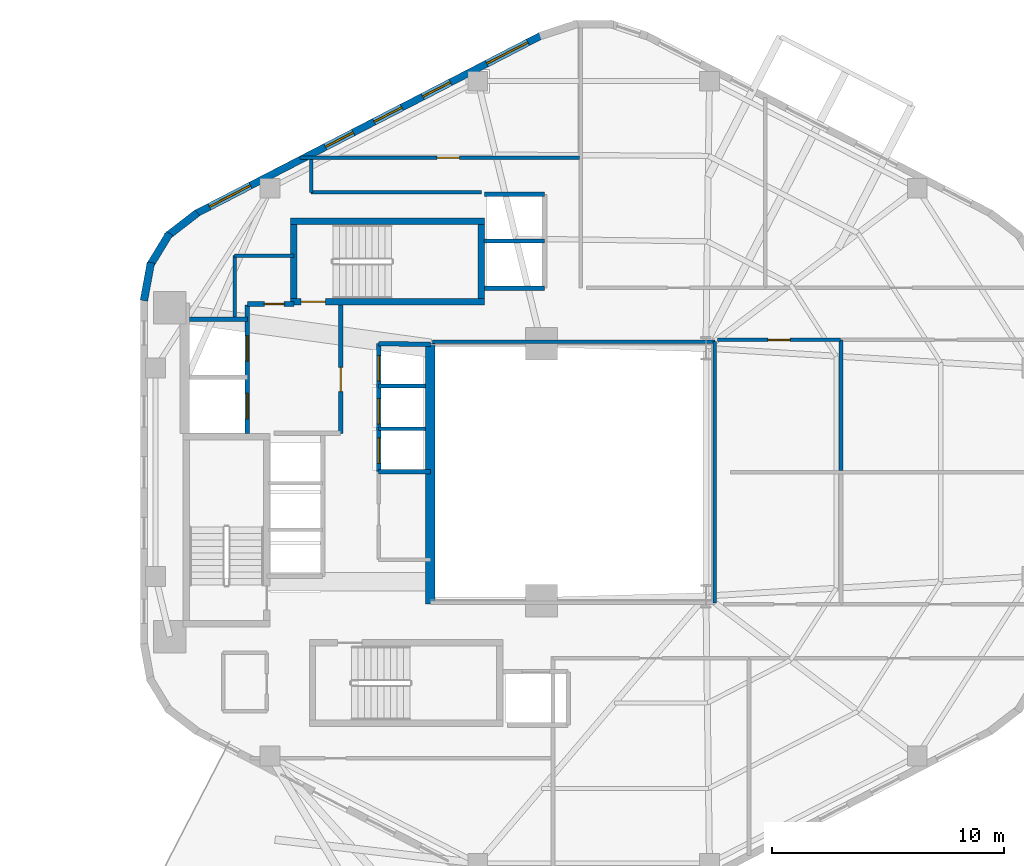
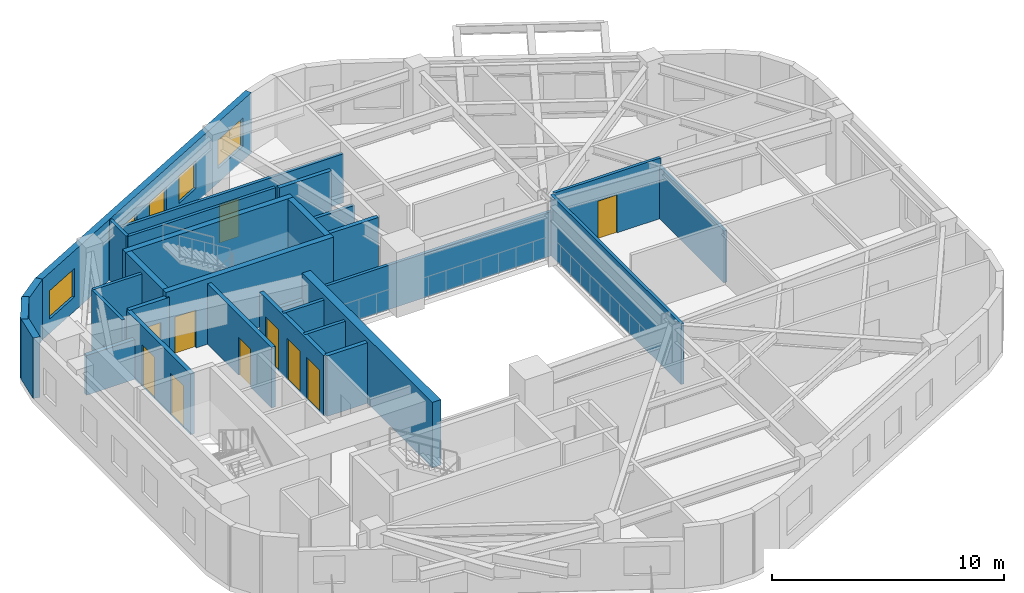
# One storey, part 4 of 7: 30 walls, 10 doors, 5 windows, 15 openings.
"""IFC4 building model written with IfcOpenShell, lengths in metres."""

from ifc_helpers import new_model, si_unit, direction, frame, frame_2d, origin, place, context, subcontext, project, spatial, rectangle, extrude, material, layer, layer_set, type_object, element, fill, save


model = new_model("IFC4")

# Units and contexts
model_context = context("Model", 3, precision=1e-05, world=origin(), true_north=direction((0.0, 1.0)))
body_context = subcontext(model_context, "Body", "Model", "MODEL_VIEW")
ifc_project = project(units=[si_unit("LENGTHUNIT", "METRE"), si_unit("AREAUNIT", "SQUARE_METRE"), si_unit("VOLUMEUNIT", "CUBIC_METRE"), si_unit("PLANEANGLEUNIT", "RADIAN"), si_unit("MASSUNIT", "GRAM", prefix="KILO"), si_unit("THERMODYNAMICTEMPERATUREUNIT", "KELVIN"), si_unit("POWERUNIT", "WATT")], contexts=[model_context])

# Site, building, storey
site_placement = place(None, origin())
site = spatial("IfcSite", under=ifc_project, at=site_placement, CompositionType="ELEMENT")
building_placement = place(site_placement, origin())
building = spatial("IfcBuilding", under=site, at=building_placement, Name="Skarre Station Tower", CompositionType="ELEMENT")
storey_placement = place(building_placement, frame((0.0, 0.0, 184.35009765625)))
storey = spatial("IfcBuildingStorey", under=building, at=storey_placement, Name="L50", CompositionType="ELEMENT", Elevation=184.35009765625)

# Walls
ifc_material_1 = material(Name="Acoustic Steel-Stud Gypsum Partition", Category="steel")
ifc_layer_1 = layer(ifc_material_1, 0.14990234375, Name="Acoustic Steel-Stud Gypsum Partition")
ifc_layer_set_1 = layer_set([ifc_layer_1], Name="Acoustic Steel-Stud Gypsum Partition")
wall_type_1 = type_object("IfcWallType", Name="Fire-Rated Corridor Acoustic Partition 150", PredefinedType="PARTITIONING", material=ifc_layer_set_1)
wall_1_placement = place(storey_placement, frame((19.10009765625, 33.35009765625, 0.0), z_axis=(0.0, 0.0, 1.0), x_axis=(0.0, -1.0, 0.0)))
element("IfcWall", 1, at=wall_1_placement, inside=storey, type_object=wall_type_1, Name="L50 Interior Partition WL-PT-L50-CNW-W", PredefinedType="PARTITIONING", context=body_context, shape_type="SweptSolid", body=[
    extrude(rectangle(XDim=2.655029296875, YDim=0.14990234375, at=frame_2d((1.32763671875, 0.0))), origin(), (0.0, 0.0, 1.0), 3.18994140625),
])
wall_2_placement = place(storey_placement, frame((21.659912109375, 33.35009765625, 0.0), z_axis=(0.0, 0.0, 1.0), x_axis=(-1.0, 0.0, 0.0)))
element("IfcWall", 2, at=wall_2_placement, inside=storey, type_object=wall_type_1, Name="L50 Interior Partition WL-PT-L50-CNW-N1", PredefinedType="PARTITIONING", context=body_context, shape_type="SweptSolid", body=[
    extrude(rectangle(XDim=2.559814453125, YDim=0.14990234375, at=frame_2d((1.27978515625, 0.0))), origin(), (0.0, 0.0, 1.0), 3.18994140625),
])
wall_3_placement = place(storey_placement, frame((39.840087890625, 29.639892578125, 0.0), z_axis=(0.0, 0.0, 1.0), x_axis=(-1.0, 0.0, 0.0)))
element("IfcWall", 3, at=wall_3_placement, inside=storey, type_object=wall_type_1, Name="L50 Interior Partition WL-PT-L50-ATRW-N", PredefinedType="PARTITIONING", context=body_context, shape_type="SweptSolid", body=[
    extrude(rectangle(XDim=12.2001953125, YDim=0.14990234375, at=frame_2d((6.10009765625, 0.0))), origin(), (0.0, 0.0, 1.0), 2.330810546875),
])
wall_4_placement = place(storey_placement, frame((39.840087890625, 18.360107421875, 0.0), z_axis=(0.0, 0.0, 1.0), x_axis=(0.0, 1.0, 0.0)))
element("IfcWall", 4, at=wall_4_placement, inside=storey, type_object=wall_type_1, Name="L50 Interior Partition WL-PT-L50-ATRW-E", PredefinedType="PARTITIONING", context=body_context, shape_type="SweptSolid", body=[
    extrude(rectangle(XDim=11.27978515625, YDim=0.14990234375, at=frame_2d((5.639892578125, 0.0))), origin(), (0.0, 0.0, 1.0), 3.18994140625),
])

# Wall, opening, door
wall_5_placement = place(storey_placement, frame((34.0, 37.580078125, 0.0), z_axis=(0.0, 0.0, 1.0), x_axis=(-1.0, 0.0, 0.0)))
wall_5 = element("IfcWall", 5, at=wall_5_placement, inside=storey, type_object=wall_type_1, Name="L50 Interior Partition WL-PT-L50-NWW1-CW", PredefinedType="PARTITIONING", context=body_context, shape_type="SweptSolid", body=[
    extrude(rectangle(XDim=12.074951171875, YDim=0.14990234375, at=frame_2d((6.03759765625, 0.0))), origin(), (0.0, 0.0, 1.0), 2.581787109375),
])
opening_1_placement = place(wall_5_placement, frame((5.195068359375, 0.0, 0.0)))
opening_1 = element("IfcOpeningElement", 6, at=opening_1_placement, cuts=wall_5, Name="Opening DR-FD60", PredefinedType="OPENING", context=body_context, shape_type="SweptSolid", body=[
    extrude(rectangle(XDim=0.9599609375, YDim=2.0, at=frame_2d((0.47998046875, 1.0))), frame((0.0, 0.0849609375, 0.0), z_axis=(0.0, -1.0, 0.0), x_axis=(1.0, 0.0, 0.0)), (0.0, 0.0, 1.0), 0.169921875),
])
ifc_material_2 = material(Name="Nordic White-Oak Veneer Solid-Core Fire Leaf", Category="wood")
door_type_1 = type_object("IfcDoorType", Name="Corridor Suite Entry Fire Door FD60 960x2150", OperationType="SINGLE_SWING_LEFT", PredefinedType="DOOR", material=ifc_material_2)
door_1_placement = place(opening_1_placement, origin())
door_1 = element("IfcDoor", 7, at=door_1_placement, inside=storey, type_object=door_type_1, Name="L50 NWW1 Entry Door", OperationType="SINGLE_SWING_LEFT", OverallHeight=2.0, OverallWidth=0.9599609375, PredefinedType="DOOR", context=body_context, shape_type="SweptSolid", body=[
    extrude(rectangle(XDim=0.9599609375, YDim=2.0, at=frame_2d((0.47998046875, 1.0))), frame((0.0, 0.02490234375, 0.0), z_axis=(0.0, -1.0, 0.0), x_axis=(1.0, 0.0, 0.0)), (0.0, 0.0, 1.0), 0.050048828125),
])
fill(opening_1, door_1)

wall_6_placement = place(storey_placement, frame((39.949951171875, 29.7099609375, 0.0), z_axis=(0.0, 0.0, 1.0), x_axis=(1.0, 0.0, 0.0)))
wall_6 = element("IfcWall", 8, at=wall_6_placement, inside=storey, type_object=wall_type_1, Name="L50 Interior Partition WL-PT-L50-EWN1-CW", PredefinedType="PARTITIONING", context=body_context, shape_type="SweptSolid", body=[
    extrude(rectangle(XDim=5.321044921875, YDim=0.14990234375, at=frame_2d((2.66064453125, 0.0))), origin(), (0.0, 0.0, 1.0), 3.18994140625),
])
opening_2_placement = place(wall_6_placement, frame((2.179931640625, 0.0, 0.0)))
opening_2 = element("IfcOpeningElement", 9, at=opening_2_placement, cuts=wall_6, Name="Opening DR-FD60", PredefinedType="OPENING", context=body_context, shape_type="SweptSolid", body=[
    extrude(rectangle(XDim=0.9599609375, YDim=2.0, at=frame_2d((0.47998046875, 1.0))), frame((0.0, 0.0849609375, 0.0), z_axis=(0.0, -1.0, 0.0), x_axis=(1.0, 0.0, 0.0)), (0.0, 0.0, 1.0), 0.169921875),
])
door_2_placement = place(opening_2_placement, origin())
door_2 = element("IfcDoor", 10, at=door_2_placement, inside=storey, type_object=door_type_1, Name="L50 EWN1 Entry Door", OperationType="SINGLE_SWING_LEFT", OverallHeight=2.0, OverallWidth=0.9599609375, PredefinedType="DOOR", context=body_context, shape_type="SweptSolid", body=[
    extrude(rectangle(XDim=0.9599609375, YDim=2.0, at=frame_2d((0.47998046875, 1.0))), frame((0.0, 0.02490234375, 0.0), z_axis=(0.0, -1.0, 0.0), x_axis=(1.0, 0.0, 0.0)), (0.0, 0.0, 1.0), 0.050048828125),
])
fill(opening_2, door_2)

# Walls
wall_7_placement = place(storey_placement, frame((29.7529296875, 36.080078125, 0.0), z_axis=(0.0, 0.0, 1.0), x_axis=(-1.0, 0.0, 0.0)))
element("IfcWall", 11, at=wall_7_placement, inside=storey, type_object=wall_type_1, Name="L50 Interior Partition WL-PT-L50-CSEAL-1", PredefinedType="PARTITIONING", context=body_context, shape_type="SweptSolid", body=[
    extrude(rectangle(XDim=7.35302734375, YDim=0.14990234375, at=frame_2d((3.676513671875, 0.0))), origin(), (0.0, 0.0, 1.0), 3.18994140625),
])
wall_8_placement = place(storey_placement, frame((22.39990234375, 36.080078125, 0.0), z_axis=(0.0, 0.0, 1.0), x_axis=(0.0, 1.0, 0.0)))
element("IfcWall", 12, at=wall_8_placement, inside=storey, type_object=wall_type_1, Name="L50 Interior Partition WL-PT-L50-CSEAL-2", PredefinedType="PARTITIONING", context=body_context, shape_type="SweptSolid", body=[
    extrude(rectangle(XDim=1.429931640625, YDim=0.14990234375, at=frame_2d((0.71484375, 0.0))), origin(), (0.0, 0.0, 1.0), 3.18994140625),
])
ifc_material_3 = material(Name="Precast concrete C45/55", Category="concrete")
ifc_layer_2 = layer(ifc_material_3, 0.330078125, Name="Precast concrete C45/55")
ifc_layer_set_2 = layer_set([ifc_layer_2], Name="Precast concrete C45/55")
wall_type_2 = type_object("IfcWallType", Name="Nordic Rounded Corner Precast Wall 330", PredefinedType="STANDARD", material=ifc_layer_set_2)
wall_9_placement = place(storey_placement, frame((15.178955078125, 31.407958984375, 0.0), z_axis=(0.0, 0.0, 1.0), x_axis=(0.180717642671, 0.983535019014, 0.0)))
element("IfcWall", 13, at=wall_9_placement, inside=storey, type_object=wall_type_2, Name="L50 Rounded Corner Precast Wall F2-1", PredefinedType="STANDARD", context=body_context, shape_type="SweptSolid", body=[
    extrude(rectangle(XDim=1.676513671875, YDim=0.330078125, at=frame_2d((0.83837890625, 0.0))), origin(), (0.0, 0.0, 1.0), 3.18994140625),
])
wall_10_placement = place(storey_placement, frame((15.4150390625, 32.882080078125, 0.0), z_axis=(0.0, 0.0, 1.0), x_axis=(0.520325409202, 0.853968072318, 0.0)))
element("IfcWall", 14, at=wall_10_placement, inside=storey, type_object=wall_type_2, Name="L50 Rounded Corner Precast Wall F2-2", PredefinedType="STANDARD", context=body_context, shape_type="SweptSolid", body=[
    extrude(rectangle(XDim=1.677978515625, YDim=0.330078125, at=frame_2d((0.8388671875, 0.0))), origin(), (0.0, 0.0, 1.0), 3.18994140625),
])
wall_11_placement = place(storey_placement, frame((16.162109375, 34.175048828125, 0.0), z_axis=(0.0, 0.0, 1.0), x_axis=(0.791409877269, 0.611285862884, 0.0)))
element("IfcWall", 15, at=wall_11_placement, inside=storey, type_object=wall_type_2, Name="L50 Rounded Corner Precast Wall F2-3", PredefinedType="STANDARD", context=body_context, shape_type="SweptSolid", body=[
    extrude(rectangle(XDim=1.676513671875, YDim=0.330078125, at=frame_2d((0.83837890625, 0.0))), origin(), (0.0, 0.0, 1.0), 3.18994140625),
])

# Wall, openings, windows
ifc_layer_3 = layer(ifc_material_3, 0.31005859375, Name="Precast concrete C45/55")
ifc_layer_set_3 = layer_set([ifc_layer_3], Name="Precast concrete C45/55")
wall_type_3 = type_object("IfcWallType", Name="Nordic Upper-Zone Precast Facet Wall 310", PredefinedType="STANDARD", material=ifc_layer_set_3)
wall_12_placement = place(storey_placement, frame((17.407958984375, 35.153076171875, 0.0), z_axis=(0.0, 0.0, 1.0), x_axis=(0.888626188278, 0.458632202867, 0.0)))
wall_12 = element("IfcWall", 16, at=wall_12_placement, inside=storey, type_object=wall_type_3, Name="L50 Facet 1 Nordic Precast Masonry Wall", PredefinedType="STANDARD", context=body_context, shape_type="SweptSolid", body=[
    extrude(rectangle(XDim=16.828369140625, YDim=0.31005859375, at=frame_2d((8.4140625, 0.0))), origin(), (0.0, 0.0, 1.0), 3.18994140625),
])
opening_3_placement = place(wall_12_placement, frame((0.675048828125, 0.0, 0.75)))
opening_3 = element("IfcOpeningElement", 17, at=opening_3_placement, cuts=wall_12, Name="Opening WN-Z3A", PredefinedType="OPENING", context=body_context, shape_type="SweptSolid", body=[
    extrude(rectangle(XDim=2.0, YDim=1.5, at=frame_2d((1.0, 0.75))), frame((0.0, 0.1650390625, 0.0), z_axis=(0.0, -1.0, 0.0), x_axis=(1.0, 0.0, 0.0)), (0.0, 0.0, 1.0), 0.330078125),
])
opening_4_placement = place(wall_12_placement, frame((6.31201171875, 0.0, 0.75)))
opening_4 = element("IfcOpeningElement", 18, at=opening_4_placement, cuts=wall_12, Name="Opening WN-Z3B", PredefinedType="OPENING", context=body_context, shape_type="SweptSolid", body=[
    extrude(rectangle(XDim=1.35009765625, YDim=1.449951171875, at=frame_2d((0.675048828125, 0.72509765625))), frame((0.0, 0.1650390625, 0.0), z_axis=(0.0, -1.0, 0.0), x_axis=(1.0, 0.0, 0.0)), (0.0, 0.0, 1.0), 0.330078125),
])
opening_5_placement = place(wall_12_placement, frame((8.676025390625, 0.0, 0.75)))
opening_5 = element("IfcOpeningElement", 19, at=opening_5_placement, cuts=wall_12, Name="Opening WN-Z3B", PredefinedType="OPENING", context=body_context, shape_type="SweptSolid", body=[
    extrude(rectangle(XDim=1.35009765625, YDim=1.449951171875, at=frame_2d((0.675048828125, 0.72509765625))), frame((0.0, 0.1650390625, 0.0), z_axis=(0.0, -1.0, 0.0), x_axis=(1.0, 0.0, 0.0)), (0.0, 0.0, 1.0), 0.330078125),
])
opening_6_placement = place(wall_12_placement, frame((11.041015625, 0.0, 0.75)))
opening_6 = element("IfcOpeningElement", 20, at=opening_6_placement, cuts=wall_12, Name="Opening WN-Z3B", PredefinedType="OPENING", context=body_context, shape_type="SweptSolid", body=[
    extrude(rectangle(XDim=1.35009765625, YDim=1.449951171875, at=frame_2d((0.675048828125, 0.72509765625))), frame((0.0, 0.1650390625, 0.0), z_axis=(0.0, -1.0, 0.0), x_axis=(1.0, 0.0, 0.0)), (0.0, 0.0, 1.0), 0.330078125),
])
opening_7_placement = place(wall_12_placement, frame((14.153076171875, 0.0, 0.75)))
opening_7 = element("IfcOpeningElement", 21, at=opening_7_placement, cuts=wall_12, Name="Opening WN-Z3A", PredefinedType="OPENING", context=body_context, shape_type="SweptSolid", body=[
    extrude(rectangle(XDim=2.0, YDim=1.5, at=frame_2d((1.0, 0.75))), frame((0.0, 0.1650390625, 0.0), z_axis=(0.0, -1.0, 0.0), x_axis=(1.0, 0.0, 0.0)), (0.0, 0.0, 1.0), 0.330078125),
])
ifc_material_4 = material(Name="Low-Iron Triple Glazing with Bronze Anodized Frame", Category="glass")
window_type_1 = type_object("IfcWindowType", Name="Nordic Hospitality Narrow Window 1350x1450", PartitioningType="SINGLE_PANEL", PredefinedType="WINDOW", material=ifc_material_4)
window_1_placement = place(opening_4_placement, origin())
window_1 = element("IfcWindow", 22, at=window_1_placement, inside=storey, type_object=window_type_1, Name="L50 Facade Window WL-FAC-L50-F1-2", OverallHeight=1.449951171875, OverallWidth=1.35009765625, PartitioningType="SINGLE_PANEL", PredefinedType="WINDOW", context=body_context, shape_type="SweptSolid", body=[
    extrude(rectangle(XDim=1.35009765625, YDim=1.449951171875, at=frame_2d((0.675048828125, 0.72509765625))), frame((0.0, 0.030029296875, 0.0), z_axis=(0.0, -1.0, 0.0), x_axis=(1.0, 0.0, 0.0)), (0.0, 0.0, 1.0), 0.06005859375),
])
fill(opening_4, window_1)
window_2_placement = place(opening_5_placement, origin())
window_2 = element("IfcWindow", 23, at=window_2_placement, inside=storey, type_object=window_type_1, Name="L50 Facade Window WL-FAC-L50-F1-3", OverallHeight=1.449951171875, OverallWidth=1.35009765625, PartitioningType="SINGLE_PANEL", PredefinedType="WINDOW", context=body_context, shape_type="SweptSolid", body=[
    extrude(rectangle(XDim=1.35009765625, YDim=1.449951171875, at=frame_2d((0.675048828125, 0.72509765625))), frame((0.0, 0.030029296875, 0.0), z_axis=(0.0, -1.0, 0.0), x_axis=(1.0, 0.0, 0.0)), (0.0, 0.0, 1.0), 0.06005859375),
])
fill(opening_5, window_2)
window_3_placement = place(opening_6_placement, origin())
window_3 = element("IfcWindow", 24, at=window_3_placement, inside=storey, type_object=window_type_1, Name="L50 Facade Window WL-FAC-L50-F1-4", OverallHeight=1.449951171875, OverallWidth=1.35009765625, PartitioningType="SINGLE_PANEL", PredefinedType="WINDOW", context=body_context, shape_type="SweptSolid", body=[
    extrude(rectangle(XDim=1.35009765625, YDim=1.449951171875, at=frame_2d((0.675048828125, 0.72509765625))), frame((0.0, 0.030029296875, 0.0), z_axis=(0.0, -1.0, 0.0), x_axis=(1.0, 0.0, 0.0)), (0.0, 0.0, 1.0), 0.06005859375),
])
fill(opening_6, window_3)
window_type_2 = type_object("IfcWindowType", Name="Nordic Hospitality Window 2000x1500", PartitioningType="SINGLE_PANEL", PredefinedType="WINDOW", material=ifc_material_4)
window_4_placement = place(opening_3_placement, origin())
window_4 = element("IfcWindow", 25, at=window_4_placement, inside=storey, type_object=window_type_2, Name="L50 Facade Window WL-FAC-L50-F1-1", OverallHeight=1.5, OverallWidth=2.0, PartitioningType="SINGLE_PANEL", PredefinedType="WINDOW", context=body_context, shape_type="SweptSolid", body=[
    extrude(rectangle(XDim=2.0, YDim=1.5, at=frame_2d((1.0, 0.75))), frame((0.0, 0.030029296875, 0.0), z_axis=(0.0, -1.0, 0.0), x_axis=(1.0, 0.0, 0.0)), (0.0, 0.0, 1.0), 0.06005859375),
])
fill(opening_3, window_4)
window_5_placement = place(opening_7_placement, origin())
window_5 = element("IfcWindow", 26, at=window_5_placement, inside=storey, type_object=window_type_2, Name="L50 Facade Window WL-FAC-L50-F1-5", OverallHeight=1.5, OverallWidth=2.0, PartitioningType="SINGLE_PANEL", PredefinedType="WINDOW", context=body_context, shape_type="SweptSolid", body=[
    extrude(rectangle(XDim=2.0, YDim=1.5, at=frame_2d((1.0, 0.75))), frame((0.0, 0.030029296875, 0.0), z_axis=(0.0, -1.0, 0.0), x_axis=(1.0, 0.0, 0.0)), (0.0, 0.0, 1.0), 0.06005859375),
])
fill(opening_7, window_5)

# Wall, opening, door
ifc_material_5 = material(Name="Concrete C50/60", Category="concrete")
ifc_layer_4 = layer(ifc_material_5, 0.280029296875, Name="Concrete C50/60")
ifc_layer_set_4 = layer_set([ifc_layer_4], Name="Concrete C50/60")
wall_type_4 = type_object("IfcWallType", Name="RC Core Shear Wall 280", PredefinedType="SHEAR", material=ifc_layer_set_4)
wall_13_placement = place(storey_placement, frame((21.52001953125, 31.360107421875, 0.0), z_axis=(0.0, 0.0, 1.0), x_axis=(1.0, 0.0, 0.0)))
wall_13 = element("IfcWall", 27, at=wall_13_placement, inside=storey, type_object=wall_type_4, Name="L50 Stair ST-3 South Shear Wall", PredefinedType="SHEAR", context=body_context, shape_type="SweptSolid", body=[
    extrude(rectangle(XDim=8.35986328125, YDim=0.280029296875, at=frame_2d((4.179931640625, 0.0))), origin(), (0.0, 0.0, 1.0), 3.449951171875),
])
opening_8_placement = place(wall_13_placement, frame((0.449951171875, 0.0, 0.0)))
opening_8 = element("IfcOpeningElement", 28, at=opening_8_placement, cuts=wall_13, Name="Opening DR-FD90", PredefinedType="OPENING", context=body_context, shape_type="SweptSolid", body=[
    extrude(rectangle(XDim=1.050048828125, YDim=2.0, at=frame_2d((0.52490234375, 1.0))), frame((0.0, 0.14990234375, 0.0), z_axis=(0.0, -1.0, 0.0), x_axis=(1.0, 0.0, 0.0)), (0.0, 0.0, 1.0), 0.300048828125),
])
ifc_material_6 = material(Name="Fire-Rated Insulated Steel Frame & Timber Core Leaf", Category="steel")
door_type_2 = type_object("IfcDoorType", Name="Stair & FSAE Lobby Fire Door FD90 1050x2150", OperationType="SINGLE_SWING_RIGHT", PredefinedType="DOOR", material=ifc_material_6)
door_3_placement = place(opening_8_placement, origin())
door_3 = element("IfcDoor", 29, at=door_3_placement, inside=storey, type_object=door_type_2, Name="L50 Stair ST-3 & FSAE Lobby Direct Exit Door", OperationType="SINGLE_SWING_LEFT", OverallHeight=2.0, OverallWidth=1.050048828125, PredefinedType="DOOR", context=body_context, shape_type="SweptSolid", body=[
    extrude(rectangle(XDim=1.050048828125, YDim=2.0, at=frame_2d((0.52490234375, 1.0))), frame((0.0, 0.02490234375, 0.0), z_axis=(0.0, -1.0, 0.0), x_axis=(1.0, 0.0, 0.0)), (0.0, 0.0, 1.0), 0.050048828125),
])
fill(opening_8, door_3)

# Walls
wall_14_placement = place(storey_placement, frame((29.8798828125, 34.840087890625, 0.0), z_axis=(0.0, 0.0, 1.0), x_axis=(-1.0, 0.0, 0.0)))
element("IfcWall", 30, at=wall_14_placement, inside=storey, type_object=wall_type_4, Name="L50 Stair ST-3 North Shear Wall", PredefinedType="SHEAR", context=body_context, shape_type="SweptSolid", body=[
    extrude(rectangle(XDim=8.35986328125, YDim=0.280029296875, at=frame_2d((4.179931640625, 0.0))), origin(), (0.0, 0.0, 1.0), 3.449951171875),
])
for number, where, z_axis, x_axis, name in (
    (31, (21.659912109375, 34.699951171875, 0.0), (0.0, 0.0, 1.0), (0.0, -1.0, 0.0), "L50 Stair ST-3 West Shear Wall"),
    (32, (29.739990234375, 31.5, 0.0), (0.0, 0.0, 1.0), (0.0, 1.0, 0.0), "L50 Stair ST-3 East Shear Wall"),
):
    element("IfcWall", number, at=place(storey_placement, frame(where, z_axis=z_axis, x_axis=x_axis)), inside=storey, type_object=wall_type_4, Name=name, PredefinedType="SHEAR", context=body_context, shape_type="SweptSolid", body=[
        extrude(rectangle(XDim=3.199951171875, YDim=0.280029296875, at=frame_2d((1.60009765625, 0.0))), origin(), (0.0, 0.0, 1.0), 3.449951171875),
    ])
ifc_material_7 = material(Name="Concrete C60/75", Category="concrete")
ifc_layer_5 = layer(ifc_material_7, 0.419921875, Name="Concrete C60/75")
ifc_layer_set_5 = layer_set([ifc_layer_5], Name="Concrete C60/75")
wall_type_5 = type_object("IfcWallType", Name="RC Core Shear Wall 420", PredefinedType="SHEAR", material=ifc_layer_set_5)
wall_15_placement = place(storey_placement, frame((27.550048828125, 29.550048828125, 0.0), z_axis=(0.0, 0.0, 1.0), x_axis=(0.0, -1.0, 0.0)))
element("IfcWall", 33, at=wall_15_placement, inside=storey, type_object=wall_type_5, Name="L50 Core East Atrium Shear Wall", PredefinedType="SHEAR", context=body_context, shape_type="SweptSolid", body=[
    extrude(rectangle(XDim=11.25, YDim=0.419921875, at=frame_2d((5.625, 0.0))), origin(), (0.0, 0.0, 1.0), 3.449951171875),
])

# Wall, openings, doors
ifc_material_8 = material(Name="Gypsum Concrete Shaft Assembly C30/37", Category="concrete")
ifc_layer_6 = layer(ifc_material_8, 0.199951171875, Name="Gypsum Concrete Shaft Assembly C30/37")
ifc_layer_set_6 = layer_set([ifc_layer_6], Name="Gypsum Concrete Shaft Assembly C30/37")
wall_type_6 = type_object("IfcWallType", Name="Shaft & Core Fire Partition 200", PredefinedType="PARTITIONING", material=ifc_layer_set_6)
wall_16_placement = place(storey_placement, frame((19.64990234375, 25.679931640625, 0.0), z_axis=(0.0, 0.0, 1.0), x_axis=(0.0, 1.0, 0.0)))
wall_16 = element("IfcWall", 34, at=wall_16_placement, inside=storey, type_object=wall_type_6, Name="L50 Interior Partition WL-PT-L50-FSAE-W", PredefinedType="PARTITIONING", context=body_context, shape_type="SweptSolid", body=[
    extrude(rectangle(XDim=5.5400390625, YDim=0.199951171875, at=frame_2d((2.77001953125, 0.0))), origin(), (0.0, 0.0, 1.0), 3.18994140625),
])
opening_9_placement = place(wall_16_placement, frame((0.6201171875, 0.0, 0.0)))
opening_9 = element("IfcOpeningElement", 35, at=opening_9_placement, cuts=wall_16, Name="Opening LD-FF1", PredefinedType="OPENING", context=body_context, shape_type="SweptSolid", body=[
    extrude(rectangle(XDim=1.10009765625, YDim=2.199951171875, at=frame_2d((0.550048828125, 1.10009765625))), frame((0.0, 0.10986328125, 0.0), z_axis=(0.0, -1.0, 0.0), x_axis=(1.0, 0.0, 0.0)), (0.0, 0.0, 1.0), 0.219970703125),
])
opening_10_placement = place(wall_16_placement, frame((3.1201171875, 0.0, 0.0)))
opening_10 = element("IfcOpeningElement", 36, at=opening_10_placement, cuts=wall_16, Name="Opening LD-FF2", PredefinedType="OPENING", context=body_context, shape_type="SweptSolid", body=[
    extrude(rectangle(XDim=1.10009765625, YDim=2.199951171875, at=frame_2d((0.550048828125, 1.10009765625))), frame((0.0, 0.10986328125, 0.0), z_axis=(0.0, -1.0, 0.0), x_axis=(1.0, 0.0, 0.0)), (0.0, 0.0, 1.0), 0.219970703125),
])
ifc_material_9 = material(Name="Fire-Rated Stainless Steel Grade 316L Sliding Leaves", Category="steel")
door_type_3 = type_object("IfcDoorType", Name="Fire Service Access Elevator Sliding Landing Door 1100x2200", OperationType="SLIDING_TO_LEFT", PredefinedType="DOOR", material=ifc_material_9)
door_4_placement = place(opening_9_placement, origin())
door_4 = element("IfcDoor", 37, at=door_4_placement, inside=storey, type_object=door_type_3, Name="L50 Firefighting Lift LF-FF1 Landing Door", OperationType="SLIDING_TO_LEFT", OverallHeight=2.199951171875, OverallWidth=1.10009765625, PredefinedType="DOOR", context=body_context, shape_type="SweptSolid", body=[
    extrude(rectangle(XDim=1.10009765625, YDim=2.199951171875, at=frame_2d((0.550048828125, 1.10009765625))), frame((0.0, 0.02490234375, 0.0), z_axis=(0.0, -1.0, 0.0), x_axis=(1.0, 0.0, 0.0)), (0.0, 0.0, 1.0), 0.050048828125),
])
fill(opening_9, door_4)
door_5_placement = place(opening_10_placement, origin())
door_5 = element("IfcDoor", 38, at=door_5_placement, inside=storey, type_object=door_type_3, Name="L50 Firefighting Lift LF-FF2 Landing Door", OperationType="SLIDING_TO_LEFT", OverallHeight=2.199951171875, OverallWidth=1.10009765625, PredefinedType="DOOR", context=body_context, shape_type="SweptSolid", body=[
    extrude(rectangle(XDim=1.10009765625, YDim=2.199951171875, at=frame_2d((0.550048828125, 1.10009765625))), frame((0.0, 0.02490234375, 0.0), z_axis=(0.0, -1.0, 0.0), x_axis=(1.0, 0.0, 0.0)), (0.0, 0.0, 1.0), 0.050048828125),
])
fill(opening_10, door_5)

# Wall, opening, door
wall_17_placement = place(storey_placement, frame((23.679931640625, 25.679931640625, 0.0), z_axis=(0.0, 0.0, 1.0), x_axis=(0.0, 1.0, 0.0)))
wall_17 = element("IfcWall", 39, at=wall_17_placement, inside=storey, type_object=wall_type_6, Name="L50 Interior Partition WL-PT-L50-FSAE-E", PredefinedType="PARTITIONING", context=body_context, shape_type="SweptSolid", body=[
    extrude(rectangle(XDim=5.5400390625, YDim=0.199951171875, at=frame_2d((2.77001953125, 0.0))), origin(), (0.0, 0.0, 1.0), 3.18994140625),
])
opening_11_placement = place(wall_17_placement, frame((1.800048828125, 0.0, 0.0)))
opening_11 = element("IfcOpeningElement", 40, at=opening_11_placement, cuts=wall_17, Name="Opening DR-FD90", PredefinedType="OPENING", context=body_context, shape_type="SweptSolid", body=[
    extrude(rectangle(XDim=1.050048828125, YDim=2.0, at=frame_2d((0.52490234375, 1.0))), frame((0.0, 0.10986328125, 0.0), z_axis=(0.0, -1.0, 0.0), x_axis=(1.0, 0.0, 0.0)), (0.0, 0.0, 1.0), 0.219970703125),
])
door_6_placement = place(opening_11_placement, origin())
door_6 = element("IfcDoor", 41, at=door_6_placement, inside=storey, type_object=door_type_2, Name="L50 FSAE Lobby Fire Door", OperationType="SINGLE_SWING_RIGHT", OverallHeight=2.0, OverallWidth=1.050048828125, PredefinedType="DOOR", context=body_context, shape_type="SweptSolid", body=[
    extrude(rectangle(XDim=1.050048828125, YDim=2.0, at=frame_2d((0.52490234375, 1.0))), frame((0.0, 0.02490234375, 0.0), z_axis=(0.0, -1.0, 0.0), x_axis=(1.0, 0.0, 0.0)), (0.0, 0.0, 1.0), 0.050048828125),
])
fill(opening_11, door_6)

wall_18_placement = place(storey_placement, frame((21.659912109375, 31.260009765625, 0.0), z_axis=(0.0, 0.0, 1.0), x_axis=(-1.0, 0.0, 0.0)))
wall_18 = element("IfcWall", 42, at=wall_18_placement, inside=storey, type_object=wall_type_6, Name="L50 Interior Partition WL-PT-L50-FSAE-N", PredefinedType="PARTITIONING", context=body_context, shape_type="SweptSolid", body=[
    extrude(rectangle(XDim=2.010009765625, YDim=0.199951171875, at=frame_2d((1.0048828125, 0.0))), origin(), (0.0, 0.0, 1.0), 3.18994140625),
])
opening_12_placement = place(wall_18_placement, frame((0.419921875, 0.0, 0.0)))
opening_12 = element("IfcOpeningElement", 43, at=opening_12_placement, cuts=wall_18, Name="Opening DR-SVC86", PredefinedType="OPENING", context=body_context, shape_type="SweptSolid", body=[
    extrude(rectangle(XDim=0.860107421875, YDim=2.0, at=frame_2d((0.43017578125, 1.0))), frame((0.0, 0.10986328125, 0.0), z_axis=(0.0, -1.0, 0.0), x_axis=(1.0, 0.0, 0.0)), (0.0, 0.0, 1.0), 0.219970703125),
])
ifc_material_10 = material(Name="Powder-Coated Hollow-Metal Acoustic Fire Leaf", Category="steel")
door_type_4 = type_object("IfcDoorType", Name="Compact Riser Fire Door FD60 860x2100", OperationType="SINGLE_SWING_LEFT", PredefinedType="DOOR", material=ifc_material_10)
door_7_placement = place(opening_12_placement, origin())
door_7 = element("IfcDoor", 44, at=door_7_placement, inside=storey, type_object=door_type_4, Name="L50 Core Service Room Lobby Door", OperationType="SINGLE_SWING_LEFT", OverallHeight=2.0, OverallWidth=0.860107421875, PredefinedType="DOOR", context=body_context, shape_type="SweptSolid", body=[
    extrude(rectangle(XDim=0.860107421875, YDim=2.0, at=frame_2d((0.43017578125, 1.0))), frame((0.0, 0.02490234375, 0.0), z_axis=(0.0, -1.0, 0.0), x_axis=(1.0, 0.0, 0.0)), (0.0, 0.0, 1.0), 0.050048828125),
])
fill(opening_12, door_7)

# Walls
wall_19_placement = place(storey_placement, frame((19.64990234375, 30.60009765625, 0.0), z_axis=(0.0, 0.0, 1.0), x_axis=(-1.0, 0.0, 0.0)))
element("IfcWall", 45, at=wall_19_placement, inside=storey, type_object=wall_type_6, Name="L50 Interior Partition WL-PT-L50-FF-N", PredefinedType="PARTITIONING", context=body_context, shape_type="SweptSolid", body=[
    extrude(rectangle(XDim=2.5, YDim=0.199951171875, at=frame_2d((1.25, 0.0))), origin(), (0.0, 0.0, 1.0), 2.08984375),
])
for number, where, z_axis, x_axis, name in (
    (46, (29.8798828125, 36.0, 0.0), (0.0, 0.0, 1.0), (1.0, 0.0, 0.0), "L50 Interior Partition WL-PT-L50-EX-N"),
    (47, (32.47998046875, 31.949951171875, 0.0), (0.0, 0.0, 1.0), (-1.0, 0.0, 0.0), "L50 Interior Partition WL-PT-L50-EX-S"),
):
    element("IfcWall", number, at=place(storey_placement, frame(where, z_axis=z_axis, x_axis=x_axis)), inside=storey, type_object=wall_type_6, Name=name, PredefinedType="PARTITIONING", context=body_context, shape_type="SweptSolid", body=[
        extrude(rectangle(XDim=2.60009765625, YDim=0.199951171875, at=frame_2d((1.300048828125, 0.0))), origin(), (0.0, 0.0, 1.0), 3.18994140625),
    ])
wall_20_placement = place(storey_placement, frame((29.875, 33.97998046875, 0.0), z_axis=(0.0, 0.0, 1.0), x_axis=(1.0, 0.0, 0.0)))
element("IfcWall", 48, at=wall_20_placement, inside=storey, type_object=wall_type_6, Name="L50 Interior Partition WL-PT-L50-EX-DIV", PredefinedType="PARTITIONING", context=body_context, shape_type="SweptSolid", body=[
    extrude(rectangle(XDim=2.60498046875, YDim=0.159912109375, at=frame_2d((1.302490234375, 0.0))), origin(), (0.0, 0.0, 1.0), 2.581787109375),
])

# Wall, openings, doors
wall_21_placement = place(storey_placement, frame((25.320068359375, 29.550048828125, 0.0), z_axis=(0.0, 0.0, 1.0), x_axis=(0.0, -1.0, 0.0)))
wall_21 = element("IfcWall", 49, at=wall_21_placement, inside=storey, type_object=wall_type_6, Name="L50 Interior Partition WL-PT-L50-B2-W", PredefinedType="PARTITIONING", context=body_context, shape_type="SweptSolid", body=[
    extrude(rectangle(XDim=5.530029296875, YDim=0.199951171875, at=frame_2d((2.76513671875, 0.0))), origin(), (0.0, 0.0, 1.0), 3.18994140625),
])
opening_13_placement = place(wall_21_placement, frame((0.52001953125, 0.0, 0.0)))
opening_13 = element("IfcOpeningElement", 50, at=opening_13_placement, cuts=wall_21, Name="Opening LD-P6", PredefinedType="OPENING", context=body_context, shape_type="SweptSolid", body=[
    extrude(rectangle(XDim=1.10009765625, YDim=2.199951171875, at=frame_2d((0.550048828125, 1.10009765625))), frame((0.0, 0.10986328125, 0.0), z_axis=(0.0, -1.0, 0.0), x_axis=(1.0, 0.0, 0.0)), (0.0, 0.0, 1.0), 0.219970703125),
])
opening_14_placement = place(wall_21_placement, frame((2.3701171875, 0.0, 0.0)))
opening_14 = element("IfcOpeningElement", 51, at=opening_14_placement, cuts=wall_21, Name="Opening LD-P5", PredefinedType="OPENING", context=body_context, shape_type="SweptSolid", body=[
    extrude(rectangle(XDim=1.10009765625, YDim=2.199951171875, at=frame_2d((0.550048828125, 1.10009765625))), frame((0.0, 0.10986328125, 0.0), z_axis=(0.0, -1.0, 0.0), x_axis=(1.0, 0.0, 0.0)), (0.0, 0.0, 1.0), 0.219970703125),
])
opening_15_placement = place(wall_21_placement, frame((4.070068359375, 0.0, 0.0)))
opening_15 = element("IfcOpeningElement", 52, at=opening_15_placement, cuts=wall_21, Name="Opening LD-P4", PredefinedType="OPENING", context=body_context, shape_type="SweptSolid", body=[
    extrude(rectangle(XDim=1.10009765625, YDim=2.199951171875, at=frame_2d((0.550048828125, 1.10009765625))), frame((0.0, 0.10986328125, 0.0), z_axis=(0.0, -1.0, 0.0), x_axis=(1.0, 0.0, 0.0)), (0.0, 0.0, 1.0), 0.219970703125),
])
ifc_material_11 = material(Name="Brushed Bronze Stainless Steel Sliding Leaves", Category="steel")
door_type_5 = type_object("IfcDoorType", Name="Passenger Elevator Center-Parting Sliding Door 1100x2200", OperationType="SLIDING_TO_LEFT", PredefinedType="DOOR", material=ifc_material_11)
door_8_placement = place(opening_13_placement, origin())
door_8 = element("IfcDoor", 53, at=door_8_placement, inside=storey, type_object=door_type_5, Name="L50 Passenger Lift LF-P6 Landing Door", OperationType="SLIDING_TO_LEFT", OverallHeight=2.199951171875, OverallWidth=1.10009765625, PredefinedType="DOOR", context=body_context, shape_type="SweptSolid", body=[
    extrude(rectangle(XDim=1.10009765625, YDim=2.199951171875, at=frame_2d((0.550048828125, 1.10009765625))), frame((0.0, 0.02490234375, 0.0), z_axis=(0.0, -1.0, 0.0), x_axis=(1.0, 0.0, 0.0)), (0.0, 0.0, 1.0), 0.050048828125),
])
fill(opening_13, door_8)
door_9_placement = place(opening_14_placement, origin())
door_9 = element("IfcDoor", 54, at=door_9_placement, inside=storey, type_object=door_type_5, Name="L50 Passenger Lift LF-P5 Landing Door", OperationType="SLIDING_TO_LEFT", OverallHeight=2.199951171875, OverallWidth=1.10009765625, PredefinedType="DOOR", context=body_context, shape_type="SweptSolid", body=[
    extrude(rectangle(XDim=1.10009765625, YDim=2.199951171875, at=frame_2d((0.550048828125, 1.10009765625))), frame((0.0, 0.02490234375, 0.0), z_axis=(0.0, -1.0, 0.0), x_axis=(1.0, 0.0, 0.0)), (0.0, 0.0, 1.0), 0.050048828125),
])
fill(opening_14, door_9)
door_10_placement = place(opening_15_placement, origin())
door_10 = element("IfcDoor", 55, at=door_10_placement, inside=storey, type_object=door_type_5, Name="L50 Passenger Lift LF-P4 Landing Door", OperationType="SLIDING_TO_LEFT", OverallHeight=2.199951171875, OverallWidth=1.10009765625, PredefinedType="DOOR", context=body_context, shape_type="SweptSolid", body=[
    extrude(rectangle(XDim=1.10009765625, YDim=2.199951171875, at=frame_2d((0.550048828125, 1.10009765625))), frame((0.0, 0.02490234375, 0.0), z_axis=(0.0, -1.0, 0.0), x_axis=(1.0, 0.0, 0.0)), (0.0, 0.0, 1.0), 0.050048828125),
])
fill(opening_15, door_10)

# Walls
wall_22_placement = place(storey_placement, frame((27.550048828125, 29.52001953125, 0.0), z_axis=(0.0, 0.0, 1.0), x_axis=(-0.999909343457, 0.013464949556, 0.0)))
element("IfcWall", 56, at=wall_22_placement, inside=storey, type_object=wall_type_6, Name="L50 Interior Partition WL-PT-L50-B2-N", PredefinedType="PARTITIONING", context=body_context, shape_type="SweptSolid", body=[
    extrude(rectangle(XDim=2.230224609375, YDim=0.199951171875, at=frame_2d((1.115234375, 0.0))), origin(), (0.0, 0.0, 1.0), 2.08984375),
])
wall_23_placement = place(storey_placement, frame((25.320068359375, 24.02001953125, 0.0), z_axis=(0.0, 0.0, 1.0), x_axis=(1.0, 0.0, 0.0)))
element("IfcWall", 57, at=wall_23_placement, inside=storey, type_object=wall_type_6, Name="L50 Interior Partition WL-PT-L50-B2-S", PredefinedType="PARTITIONING", context=body_context, shape_type="SweptSolid", body=[
    extrude(rectangle(XDim=2.22998046875, YDim=0.199951171875, at=frame_2d((1.114990234375, 0.0))), origin(), (0.0, 0.0, 1.0), 3.18994140625),
])
for number, where, z_axis, x_axis, name in (
    (58, (25.320068359375, 25.8701171875, 0.0), (0.0, 0.0, 1.0), (1.0, 0.0, 0.0), "L50 Interior Partition WL-PT-L50-B2-D258"),
    (59, (25.320068359375, 27.719970703125, 0.0), (0.0, 0.0, 1.0), (1.0, 0.0, 0.0), "L50 Interior Partition WL-PT-L50-B2-D277"),
):
    element("IfcWall", number, at=place(storey_placement, frame(where, z_axis=z_axis, x_axis=x_axis)), inside=storey, type_object=wall_type_6, Name=name, PredefinedType="PARTITIONING", context=body_context, shape_type="SweptSolid", body=[
        extrude(rectangle(XDim=2.030029296875, YDim=0.159912109375, at=frame_2d((1.01513671875, 0.0))), origin(), (0.0, 0.0, 1.0), 3.18994140625),
    ])
ifc_layer_7 = layer(ifc_material_1, 0.1650390625, Name="Acoustic Steel-Stud Gypsum Partition")
ifc_layer_set_7 = layer_set([ifc_layer_7], Name="Acoustic Steel-Stud Gypsum Partition")
wall_type_7 = type_object("IfcWallType", Name="Suite Demising Acoustic Partition 165", PredefinedType="PARTITIONING", material=ifc_layer_set_7)
wall_24_placement = place(storey_placement, frame((45.285888671875, 24.070068359375, 0.0), z_axis=(0.0, 0.0, 1.0), x_axis=(0.0, 1.0, 0.0)))
element("IfcWall", 60, at=wall_24_placement, inside=storey, type_object=wall_type_7, Name="L50 Interior Partition WL-PT-L50-EWN-P1", PredefinedType="PARTITIONING", context=body_context, shape_type="SweptSolid", body=[
    extrude(rectangle(XDim=5.639892578125, YDim=0.1650390625, at=frame_2d((2.81982421875, 0.0))), origin(), (0.0, 0.0, 1.0), 2.73291015625),
])

save(model, "model.ifc")
